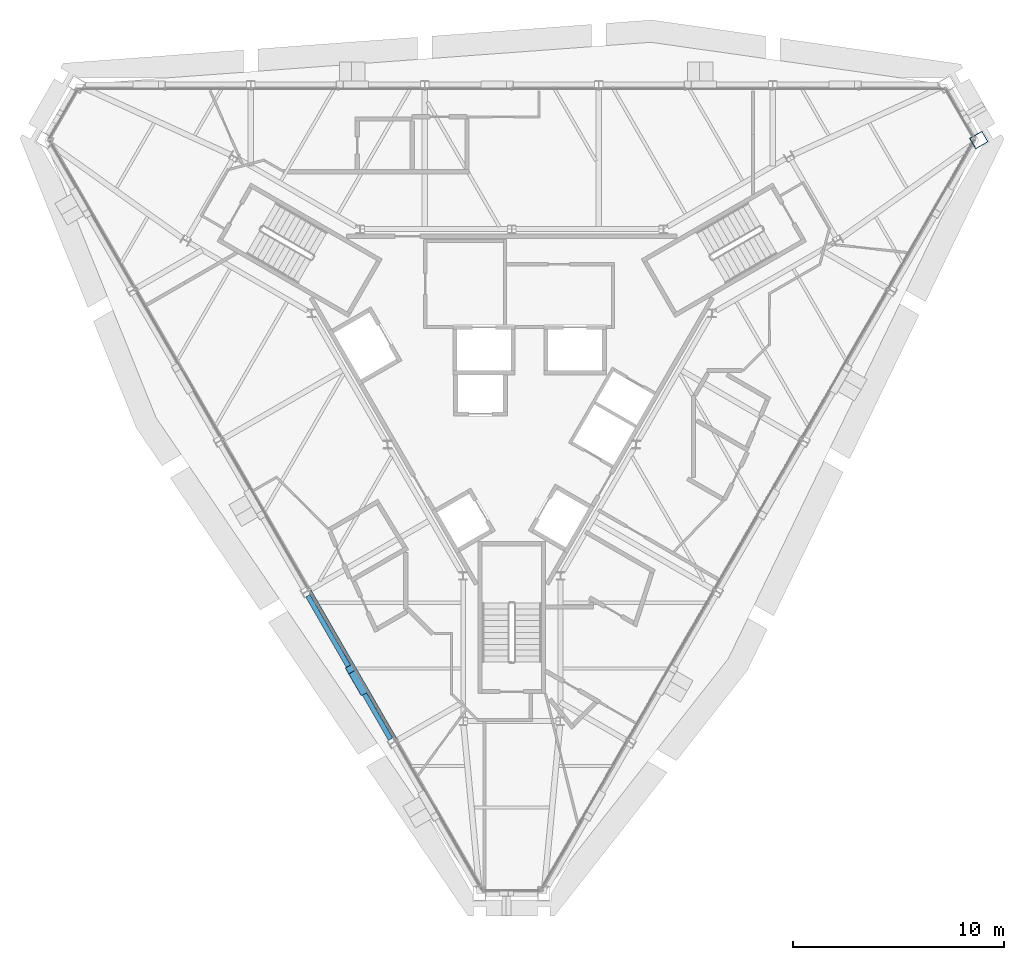
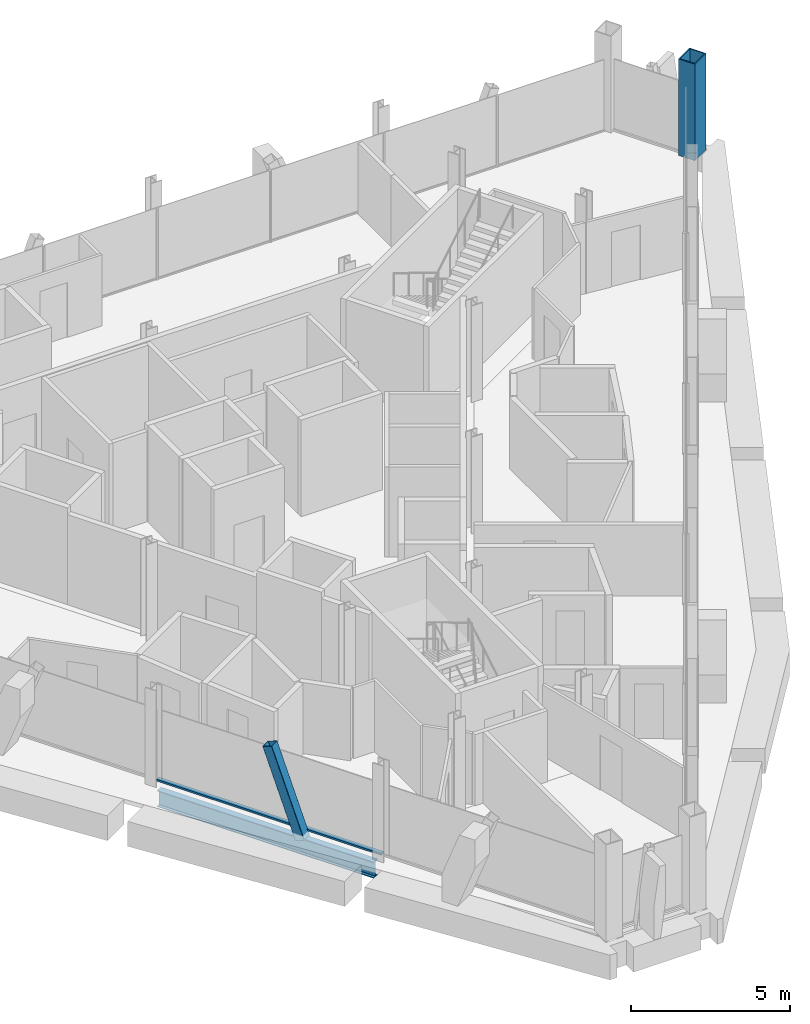
# One storey, part 2 of 12: 2 members, 1 beam, 1 column, 1 element without a shape of its own.
"""IFC4 building model written with IfcOpenShell, lengths in metres."""

from ifc_helpers import new_model, si_unit, direction, frame, origin, origin_2d, place, context, subcontext, project, spatial, rectangle, hollow_rectangle, i_section, extrude, material, material_profile, profile_set, type_object, element, aggregate, save


model = new_model("IFC4")

# Units and contexts
model_context = context("Model", 3, precision=1e-05, world=origin(), true_north=direction((0.0, 1.0)))
body_context = subcontext(model_context, "Body", "Model", "MODEL_VIEW")
ifc_project = project(units=[si_unit("LENGTHUNIT", "METRE"), si_unit("AREAUNIT", "SQUARE_METRE"), si_unit("VOLUMEUNIT", "CUBIC_METRE"), si_unit("PLANEANGLEUNIT", "RADIAN"), si_unit("MASSUNIT", "GRAM", prefix="KILO")], contexts=[model_context])

# Site, building, storey
site_placement = place(None, origin())
site = spatial("IfcSite", under=ifc_project, at=site_placement, CompositionType="ELEMENT")
building_placement = place(site_placement, origin())
building = spatial("IfcBuilding", under=site, at=building_placement, Name="Verrane Prism Tower", CompositionType="ELEMENT")
storey_placement = place(building_placement, frame((0.0, 0.0, 271.39990234375)))
storey = spatial("IfcBuildingStorey", under=building, at=storey_placement, Name="L68", CompositionType="ELEMENT", Elevation=271.39990234375)

# Column
ifc_material_1 = material(Name="Steel A572 Grade 50", Category="steel")
ifc_material_profile_1 = material_profile(ifc_material_1, hollow_rectangle(XDim=0.60009765625, YDim=0.699951171875, WallThickness=0.0400390625, at=origin_2d()), Name="BOX 700x600x40")
ifc_profile_set_1 = profile_set([ifc_material_profile_1], Name="Steel A572 Grade 50")
column_type = type_object("IfcColumnType", Name="Megacolumn BOX 700x600x40", PredefinedType="COLUMN", material=ifc_profile_set_1)
column_placement = place(storey_placement, frame((22.1201171875, 11.02001953125, 0.0), z_axis=(0.0, 0.0, 1.0), x_axis=(0.5, -0.866025403784, 0.0)))
element("IfcColumn", 1, at=column_placement, inside=storey, type_object=column_type, Name="Megacolumn MC-NE.a L68", PredefinedType="COLUMN", context=body_context, shape_type="SweptSolid", body=[
    extrude(hollow_rectangle(XDim=0.60009765625, YDim=0.699951171875, WallThickness=0.0400390625, at=origin_2d()), origin(), (0.0, 0.0, 1.0), 3.7001953125),
])

# Member
ifc_material_2 = material(Name="Steel A500 Grade C", Category="steel")
ifc_material_profile_2 = material_profile(ifc_material_2, hollow_rectangle(XDim=0.355712890625, YDim=0.355712890625, WallThickness=0.0126953125, InnerFilletRadius=0.00634765625, OuterFilletRadius=0.01904296875, at=origin_2d()), Name="HSS14x14x1/2")
ifc_profile_set_2 = profile_set([ifc_material_profile_2], Name="Steel A500 Grade C")
member_type_1 = type_object("IfcMemberType", Name="Facade brace HSS14x14x1/2", PredefinedType="BRACE", material=ifc_profile_set_2)
member_1_placement = place(storey_placement, frame((-7.06005859375, -15.069091796875, -0.216552734375), z_axis=(-0.174010693257, 0.30154692564, 0.937437854084), x_axis=(-0.86613421761, -0.499811481546, 0.0)))
element("IfcMember", 2, at=member_1_placement, inside=storey, type_object=member_type_1, Name="Facade brace SW3 L68", PredefinedType="BRACE", context=body_context, shape_type="SweptSolid", body=[
    extrude(hollow_rectangle(XDim=0.355712890625, YDim=0.355712890625, WallThickness=0.0126953125, InnerFilletRadius=0.00634765625, OuterFilletRadius=0.01904296875, at=origin_2d()), origin(), (0.0, 0.0, 1.0), 3.409423828125),
])

# Beam
ifc_material_3 = material(Name="Steel A992", Category="steel")
ifc_material_profile_3 = material_profile(ifc_material_3, i_section(OverallWidth=0.23046875, OverallDepth=0.6171875, WebThickness=0.01318359375, FlangeThickness=0.022216796875, FilletRadius=0.012939453125, at=origin_2d()), Name="W24x94")
ifc_profile_set_3 = profile_set([ifc_material_profile_3], Name="Steel A992")
beam_type = type_object("IfcBeamType", Name="Spandrel beam W24x94", PredefinedType="SPANDREL", material=ifc_profile_set_3)
beam_placement = place(storey_placement, frame((-9.66162109375, -10.560546875, -0.468505859375), z_axis=(0.499798737888, -0.866141571341, 0.0), x_axis=(0.866141571341, 0.499798737888, 0.0)))
element("IfcBeam", 3, at=beam_placement, inside=storey, type_object=beam_type, Name="Spandrel beam L68", PredefinedType="SPANDREL", context=body_context, shape_type="SweptSolid", body=[
    extrude(i_section(OverallWidth=0.23046875, OverallDepth=0.6171875, WebThickness=0.01318359375, FlangeThickness=0.022216796875, FilletRadius=0.012939453125, at=origin_2d()), origin(), (0.0, 0.0, 1.0), 7.849853515625),
])

# Curtain wall, member
ifc_material_4 = material(Name="Aluminium framed insulated glazing", Category="aluminium")
curtain_wall_type = type_object("IfcCurtainWallType", Name="Curtain wall CW-A 8400 module", PredefinedType="NOTDEFINED", material=ifc_material_4)
curtain_wall_placement = place(storey_placement, origin())
curtain_wall = element("IfcCurtainWall", 4, at=curtain_wall_placement, inside=storey, type_object=curtain_wall_type, Name="Glazed curtain wall south-west face L68", PredefinedType="NOTDEFINED")
ifc_material_5 = material(Name="Aluminium alloy 6063-T6", Category="aluminium")
ifc_material_profile_4 = material_profile(ifc_material_5, rectangle(XDim=0.14990234375, YDim=0.070068359375, at=origin_2d()), Name="Transom 70x150 aluminium")
ifc_profile_set_4 = profile_set([ifc_material_profile_4], Name="Aluminium alloy 6063-T6")
member_type_2 = type_object("IfcMemberType", Name="Transom 70x150 aluminium", PredefinedType="USERDEFINED", material=ifc_profile_set_4)
member_2_placement = place(storey_placement, frame((-9.573486328125, -10.3125, 0.03515625), z_axis=(0.499993044538, -0.866029419485, 0.0), x_axis=(0.866029419485, 0.499993044538, 0.0)))
member_2 = element("IfcMember", 5, at=member_2_placement, type_object=member_type_2, Name="CW66.4 transom 4", ObjectType="TRANSOM", PredefinedType="USERDEFINED", context=body_context, shape_type="SweptSolid", body=[
    extrude(rectangle(XDim=0.14990234375, YDim=0.070068359375, at=origin_2d()), origin(), (0.0, 0.0, 1.0), 8.1484375),
])
aggregate(curtain_wall, [member_2])

save(model, "model.ifc")
